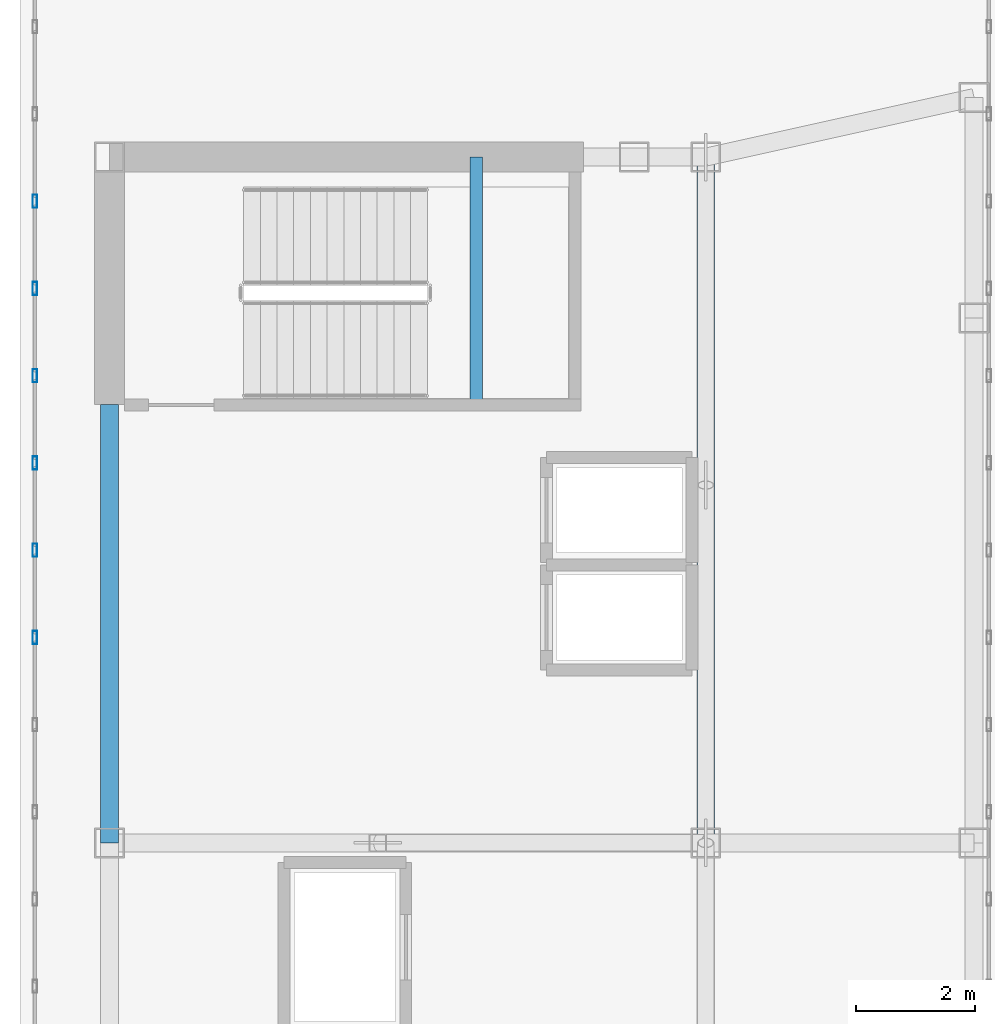
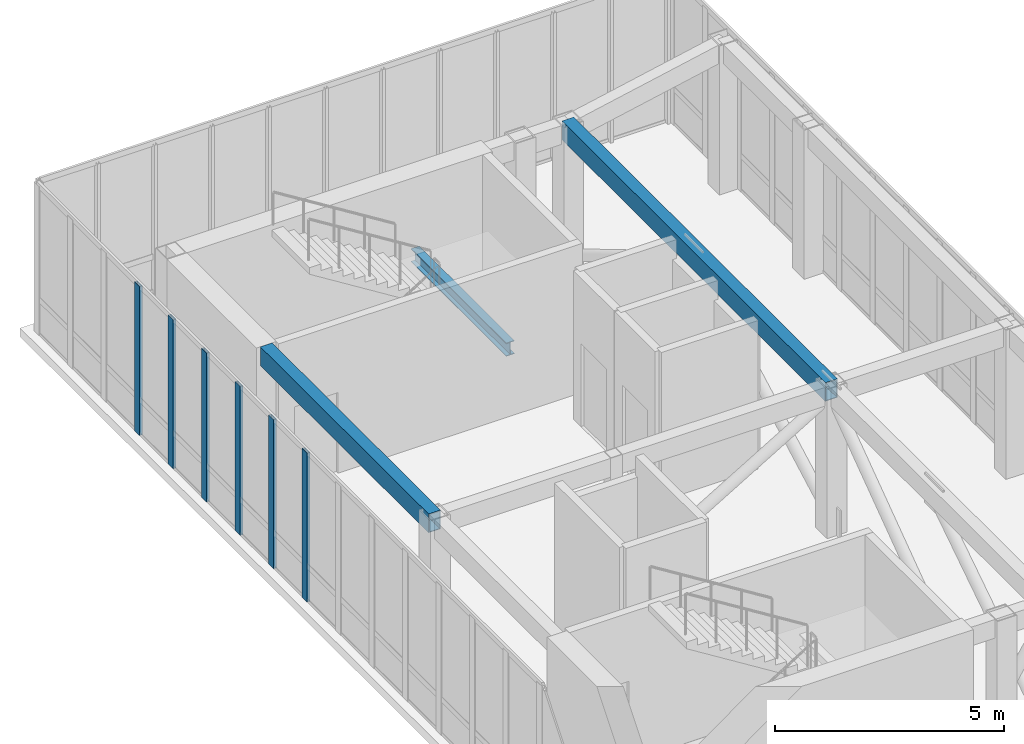
# One storey, part 7 of 13: 6 members, 3 beams, 1 element without a shape of its own.
"""IFC4 building model written with IfcOpenShell, lengths in metres."""

import ifcopenshell
import ifcopenshell.guid

model = None  # the IFC model being written
_history = None  # IfcOwnerHistory: only IFC2X3 demands one
_inside = {}  # id of a spatial element -> (the spatial element, [elements in it])
_under = {}  # id of a project, library or spatial element -> (it, [spatial elements below it])
_declared = {}  # id of a project -> (the project, [libraries it declares])
_typed = {}  # id of a type object -> (the type object, [elements of that type])
_made_of = {}  # id of a material, layer set ... -> (it, [elements and type objects made of it])


def new_model(schema):
    """Start an empty IFC model of exactly this schema.

    Asked for "IFC4X3", IfcOpenShell would pick the latest addendum, in which some entities
    have other attributes; the version numbers below select the first issue.
    IFC2X3 requires an IfcOwnerHistory on every rooted entity: one is made here for all.
    """
    global model, _history
    if schema == "IFC4X3":
        model = ifcopenshell.file(schema_version=(4, 3, 0, 0))
    else:
        model = ifcopenshell.file(schema=schema)
    _inside.clear()
    _under.clear()
    _declared.clear()
    _typed.clear()
    _made_of.clear()
    _history = None
    if model.schema == "IFC2X3":
        org = make("IfcOrganization", Name="unknown")
        user = make(
            "IfcPersonAndOrganization",
            ThePerson=make("IfcPerson", FamilyName="unknown"),
            TheOrganization=org,
        )
        app = make(
            "IfcApplication",
            ApplicationDeveloper=org,
            Version="unknown",
            ApplicationFullName="unknown",
            ApplicationIdentifier="unknown",
        )
        _history = make(
            "IfcOwnerHistory",
            OwningUser=user,
            OwningApplication=app,
            ChangeAction="ADDED",
            CreationDate=0,
        )
    return model


def make(cls, **values):
    """One entity of the class cls with the attributes given. An attribute that is None is left unset."""
    return model.create_entity(
        cls, **{name: value for name, value in values.items() if value is not None}
    )


def rooted(cls, **values):
    """An entity with a GlobalId (a new one), such as an element, a storey or a relation."""
    return make(cls, GlobalId=ifcopenshell.guid.new(), OwnerHistory=_history, **values)


def si_unit(unit_type, name, prefix=None):
    """IfcSIUnit, for example si_unit("LENGTHUNIT", "METRE", prefix="MILLI")."""
    return make("IfcSIUnit", UnitType=unit_type, Prefix=prefix, Name=name)


def assignment(units):
    """IfcUnitAssignment: the units of a project."""
    return None if units is None else make("IfcUnitAssignment", Units=units)


def point(xyz):
    """IfcCartesianPoint."""
    return None if xyz is None else make("IfcCartesianPoint", Coordinates=xyz)


def direction(xyz):
    """IfcDirection."""
    return None if xyz is None else make("IfcDirection", DirectionRatios=xyz)


def frame(location, z_axis=None, x_axis=None):
    """IfcAxis2Placement3D, a coordinate frame: its origin and axes. An axis left out is left unset."""
    return make(
        "IfcAxis2Placement3D",
        Location=point(location),
        Axis=direction(z_axis),
        RefDirection=direction(x_axis),
    )


def frame_2d(location, x_axis=None):
    """IfcAxis2Placement2D, a coordinate frame in the plane: its origin and x axis."""
    return make(
        "IfcAxis2Placement2D", Location=point(location), RefDirection=direction(x_axis)
    )


def origin():
    """The frame at (0, 0, 0) with its axes left unset."""
    return frame((0.0, 0.0, 0.0))


def origin_2d():
    """The frame at (0, 0) in the plane with its x axis left unset."""
    return frame_2d((0.0, 0.0))


def place(relative_to, where):
    """IfcLocalPlacement: puts the frame where relative to a parent placement (None: the world)."""
    return make(
        "IfcLocalPlacement", PlacementRelTo=relative_to, RelativePlacement=where
    )


def context(
    kind, dimensions, precision=None, world=None, true_north=None, identifier=None
):
    """IfcGeometricRepresentationContext, for example the 3D "Model" context."""
    return make(
        "IfcGeometricRepresentationContext",
        ContextIdentifier=identifier,
        ContextType=kind,
        CoordinateSpaceDimension=dimensions,
        Precision=precision,
        WorldCoordinateSystem=world,
        TrueNorth=true_north,
    )


def subcontext(parent, identifier, kind, view, scale=None):
    """IfcGeometricRepresentationSubContext, for example "Body" below "Model"."""
    return make(
        "IfcGeometricRepresentationSubContext",
        ContextIdentifier=identifier,
        ContextType=kind,
        ParentContext=parent,
        TargetScale=scale,
        TargetView=view,
    )


def project(units=None, contexts=None):
    """IfcProject with its units and contexts."""
    return rooted(
        "IfcProject",
        Name="project",
        RepresentationContexts=contexts,
        UnitsInContext=assignment(units),
    )


def spatial(cls, under=None, at=None, **own):
    """A site, building, storey or space (cls), placed at a placement, below another one or the project."""
    s = rooted(cls, ObjectPlacement=at, **own)
    if under is not None:
        _under.setdefault(under.id(), (under, []))[1].append(s)
    return s


def profile(cls, at=None, kind="AREA", **sizes):
    """A parametric profile (cls). Its sizes go by their IFC names, for example OverallWidth=200.0."""
    return make(cls, ProfileType=kind, Position=at, **sizes)


def hollow_rectangle(**sizes):
    """IfcRectangleHollowProfileDef."""
    return profile("IfcRectangleHollowProfileDef", **sizes)


def i_section(**sizes):
    """IfcIShapeProfileDef."""
    return profile("IfcIShapeProfileDef", **sizes)


def extrude(swept, where, along, depth):
    """IfcExtrudedAreaSolid: the profile swept, set in the frame where, extruded along a direction by depth."""
    return make(
        "IfcExtrudedAreaSolid",
        SweptArea=swept,
        Position=where,
        ExtrudedDirection=direction(along),
        Depth=depth,
    )


def shape(context_of_items, identifier, shape_type, items):
    """IfcShapeRepresentation: the items that make up one representation, for example the "Body"."""
    return make(
        "IfcShapeRepresentation",
        ContextOfItems=context_of_items,
        RepresentationIdentifier=identifier,
        RepresentationType=shape_type,
        Items=items,
    )


def source(mapping_origin, context_of_items, identifier, shape_type, items):
    """IfcRepresentationMap: a shape defined once, which mapped items show again and again."""
    return make(
        "IfcRepresentationMap",
        MappingOrigin=mapping_origin,
        MappedRepresentation=shape(context_of_items, identifier, shape_type, items),
    )


def transform(
    local_origin,
    x_axis=None,
    y_axis=None,
    z_axis=None,
    scale=None,
    scale2=None,
    scale3=None,
    uniform=True,
):
    """IfcCartesianTransformationOperator3D, or its non-uniform kind. x_axis, y_axis, z_axis: its Axis1, 2, 3."""
    if uniform:
        return make(
            "IfcCartesianTransformationOperator3D",
            Axis1=direction(x_axis),
            Axis2=direction(y_axis),
            LocalOrigin=point(local_origin),
            Scale=scale,
            Axis3=direction(z_axis),
        )
    return make(
        "IfcCartesianTransformationOperator3DnonUniform",
        Axis1=direction(x_axis),
        Axis2=direction(y_axis),
        LocalOrigin=point(local_origin),
        Scale=scale,
        Axis3=direction(z_axis),
        Scale2=scale2,
        Scale3=scale3,
    )


def mapped(mapping_source, mapping_target):
    """IfcMappedItem: shows the shape of a source again, moved by a transform."""
    return make(
        "IfcMappedItem", MappingSource=mapping_source, MappingTarget=mapping_target
    )


def material(Name=None, Category=None):
    """IfcMaterial."""
    return make("IfcMaterial", Name=Name, Category=Category)


def layer(
    of_material, thickness, ventilated=None, Name=None, Category=None, Priority=None
):
    """IfcMaterialLayer: one layer of a wall or slab, of a material (None: an air gap)."""
    return make(
        "IfcMaterialLayer",
        Material=of_material,
        LayerThickness=thickness,
        IsVentilated=ventilated,
        Name=Name,
        Category=Category,
        Priority=Priority,
    )


def layer_set(layers, Name=None):
    """IfcMaterialLayerSet."""
    return make("IfcMaterialLayerSet", MaterialLayers=layers, LayerSetName=Name)


def material_profile(
    of_material, cross_section, Name=None, Category=None, Priority=None
):
    """IfcMaterialProfile: a cross section and its material."""
    return make(
        "IfcMaterialProfile",
        Name=Name,
        Material=of_material,
        Profile=cross_section,
        Priority=Priority,
        Category=Category,
    )


def profile_set(profiles, Name=None, composite=None):
    """IfcMaterialProfileSet."""
    return make(
        "IfcMaterialProfileSet",
        Name=Name,
        MaterialProfiles=profiles,
        CompositeProfile=composite,
    )


def made_of(thing, what):
    """Note that an element or type object is made of a material, layer set ...; save() writes the relation."""
    if what is not None:
        _made_of.setdefault(what.id(), (what, []))[1].append(thing)
    return thing


def type_object(cls, material=None, **own):
    """A type object (cls), such as IfcWallType, which elements share."""
    return made_of(rooted(cls, **own), material)


def element(
    cls,
    number,
    at=None,
    inside=None,
    cuts=None,
    type_object=None,
    material=None,
    context=None,
    identifier="Body",
    shape_type=None,
    held_by="IfcProductDefinitionShape",
    body=None,
    shapes=None,
    **own,
):
    """One element of the class cls, such as IfcWall. Its Tag is "e" and its number.

    at: its placement. inside: the storey or other place that contains it. cuts: it is an
    opening in that element (IfcRelVoidsElement). A single representation is given by context,
    identifier, shape_type and body (its items); several are given by shapes. held_by: the class
    of the entity that holds the representations. save() writes the other relations.
    """
    e = rooted(cls, Tag="e%d" % number, ObjectPlacement=at, **own)
    if body is not None:
        shapes = [shape(context, identifier, shape_type, body)]
    if shapes is not None:
        e.Representation = make(held_by, Representations=shapes)
    if inside is not None:
        _inside.setdefault(inside.id(), (inside, []))[1].append(e)
    if cuts is not None:
        rooted(
            "IfcRelVoidsElement", RelatingBuildingElement=cuts, RelatedOpeningElement=e
        )
    if type_object is not None:
        _typed.setdefault(type_object.id(), (type_object, []))[1].append(e)
    return made_of(e, material)


def aggregate(whole, parts):
    """IfcRelAggregates: a whole, such as a stair, and the parts it consists of."""
    return rooted("IfcRelAggregates", RelatingObject=whole, RelatedObjects=parts)


def save(model, path):
    """Write the relations noted so far, then the file.

    IfcRelAggregates (storeys below a building ...), IfcRelContainedInSpatialStructure (elements
    in a storey), IfcRelDefinesByType, IfcRelAssociatesMaterial and IfcRelDeclares: one each for
    every whole, place, type object, material and project.
    """
    for whole, parts in _under.values():
        aggregate(whole, parts)
    for where, things in _inside.values():
        rooted(
            "IfcRelContainedInSpatialStructure",
            RelatedElements=things,
            RelatingStructure=where,
        )
    for kind, things in _typed.values():
        rooted("IfcRelDefinesByType", RelatedObjects=things, RelatingType=kind)
    for what, things in _made_of.values():
        rooted("IfcRelAssociatesMaterial", RelatedObjects=things, RelatingMaterial=what)
    for by, libraries in _declared.values():
        rooted("IfcRelDeclares", RelatingContext=by, RelatedDefinitions=libraries)
    model.write(path)


model = new_model("IFC4")

# Units and contexts
model_context = context("Model", 3, precision=1e-05, world=origin(), true_north=direction((0.0, 1.0)))
body_context = subcontext(model_context, "Body", "Model", "MODEL_VIEW")
ifc_project = project(units=[si_unit("LENGTHUNIT", "METRE"), si_unit("AREAUNIT", "SQUARE_METRE"), si_unit("VOLUMEUNIT", "CUBIC_METRE"), si_unit("PLANEANGLEUNIT", "RADIAN"), si_unit("MASSUNIT", "GRAM", prefix="KILO")], contexts=[model_context])

# Site, building, storey
site_placement = place(None, origin())
site = spatial("IfcSite", under=ifc_project, at=site_placement, CompositionType="ELEMENT")
building_placement = place(site_placement, origin())
building = spatial("IfcBuilding", under=site, at=building_placement, Name="Kharzan Plaza Tower", CompositionType="ELEMENT")
storey_placement = place(building_placement, frame((0.0, 0.0, 289.800048828125)))
storey = spatial("IfcBuildingStorey", under=building, at=storey_placement, Name="L78-CROWN", CompositionType="ELEMENT", Elevation=289.800048828125)

# Beams
ifc_material_1 = material(Name="Steel S355", Category="steel")
ifc_material_profile_1 = material_profile(ifc_material_1, i_section(OverallWidth=0.205078125, OverallDepth=0.35400390625, WebThickness=0.009521484375, FlangeThickness=0.016845703125, at=origin_2d()), Name="W360x79")
ifc_profile_set_1 = profile_set([ifc_material_profile_1], Name="Steel S355")
beam_type_1 = type_object("IfcBeamType", Name="BM-LNT360", PredefinedType="LINTEL", material=ifc_profile_set_1)
shared_shape_1 = source(origin(), body_context, "Body", "SweptSolid", [
    extrude(i_section(OverallWidth=0.205078125, OverallDepth=0.35400390625, WebThickness=0.009521484375, FlangeThickness=0.016845703125, at=origin_2d()), origin(), (0.0, 0.0, 1.0), 4.155029296875),
])
beam_1_placement = place(storey_placement, frame((10.64990234375, 25.344970703125, 1.722900390625), z_axis=(0.0, 1.0, 0.0), x_axis=(-1.0, 0.0, 0.0)))
element("IfcBeam", 1, at=beam_1_placement, inside=storey, type_object=beam_type_1, Name="L78-CROWN Stair ST-2 Half-Landing Beam", PredefinedType="LINTEL", context=body_context, shape_type="MappedRepresentation", body=[
    mapped(shared_shape_1, transform((0.0, 0.0, 0.0), x_axis=(1.0, 0.0, 0.0), y_axis=(0.0, 1.0, 0.0), z_axis=(0.0, 0.0, 1.0))),
])
ifc_material_profile_2 = material_profile(ifc_material_1, hollow_rectangle(XDim=0.300048828125, YDim=0.5, WallThickness=0.02001953125, at=origin_2d()), Name="RHS500x300x20")
ifc_profile_set_2 = profile_set([ifc_material_profile_2], Name="Steel S355")
beam_type_2 = type_object("IfcBeamType", Name="BM-CRN500", PredefinedType="BEAM", material=ifc_profile_set_2)
shared_shape_2 = source(origin(), body_context, "Body", "SweptSolid", [
    extrude(hollow_rectangle(XDim=0.300048828125, YDim=0.5, WallThickness=0.02001953125, at=origin_2d()), origin(), (0.0, 0.0, 1.0), 11.5),
])
beam_2_placement = place(storey_placement, frame((14.5, 18.0, 3.719970703125), z_axis=(0.0, 1.0, 0.0), x_axis=(-1.0, 0.0, 0.0)))
element("IfcBeam", 2, at=beam_2_placement, inside=storey, type_object=beam_type_2, Name="L78-CROWN CROWN FRAME Lantern Ring Beam CRB-M2", PredefinedType="BEAM", context=body_context, shape_type="MappedRepresentation", body=[
    mapped(shared_shape_2, transform((0.0, 0.0, 0.0), x_axis=(1.0, 0.0, 0.0), y_axis=(0.0, 1.0, 0.0), z_axis=(0.0, 0.0, 1.0))),
])
shared_shape_3 = source(origin(), body_context, "Body", "SweptSolid", [
    extrude(hollow_rectangle(XDim=0.300048828125, YDim=0.5, WallThickness=0.02001953125, at=origin_2d()), origin(), (0.0, 0.0, 1.0), 7.35009765625),
])
beam_3_placement = place(storey_placement, frame((4.5, 18.0, 3.719970703125), z_axis=(0.0, 1.0, 0.0), x_axis=(-1.0, 0.0, 0.0)))
element("IfcBeam", 3, at=beam_3_placement, inside=storey, type_object=beam_type_2, Name="L78-CROWN CROWN FRAME Lantern Ring Beam CRB-W2", PredefinedType="BEAM", context=body_context, shape_type="MappedRepresentation", body=[
    mapped(shared_shape_3, transform((0.0, 0.0, 0.0), x_axis=(1.0, 0.0, 0.0), y_axis=(0.0, 1.0, 0.0), z_axis=(0.0, 0.0, 1.0))),
])

# Curtain wall, members
ifc_material_2 = material(Name="Unitised Bronze-Anodized Aluminium and Low-E Glass", Category="aluminium")
ifc_layer = layer(ifc_material_2, 0.199951171875)
ifc_layer_set = layer_set([ifc_layer], Name="Unitised Bronze-Anodized Aluminium and Low-E Glass")
curtain_wall_type = type_object("IfcCurtainWallType", Name="CW-LANTERN-6", PredefinedType="NOTDEFINED", material=ifc_layer_set)
curtain_wall_placement = place(storey_placement, origin())
curtain_wall = element("IfcCurtainWall", 4, at=curtain_wall_placement, inside=storey, type_object=curtain_wall_type, Name="L78-CROWN Lantern Crown Illuminated Curtain Wall 4", PredefinedType="NOTDEFINED")
ifc_material_3 = material(Name="Anodized Bronze Aluminium", Category="aluminium")
ifc_material_profile_3 = material_profile(ifc_material_3, hollow_rectangle(XDim=0.074951171875, YDim=0.219970703125, WallThickness=0.00390625, at=origin_2d()), Name="ALU-M220x75x4")
ifc_profile_set_3 = profile_set([ifc_material_profile_3], Name="Anodized Bronze Aluminium")
member_type = type_object("IfcMemberType", Name="MEM-CW-MUL200", PredefinedType="MULLION", material=ifc_profile_set_3)
shared_shape_4 = source(origin(), body_context, "Body", "SweptSolid", [
    extrude(hollow_rectangle(XDim=0.074951171875, YDim=0.219970703125, WallThickness=0.00390625, at=origin_2d()), origin(), (0.0, 0.0, 1.0), 3.969970703125),
])
member_1_placement = place(storey_placement, frame((3.25, 28.760498046875, 0.0), z_axis=(0.0, 0.0, 1.0), x_axis=(1.0, 0.0, 0.0)))
member_1 = element("IfcMember", 5, at=member_1_placement, type_object=member_type, Name="L78-CROWN Curtain-Wall Mullion 03", PredefinedType="MULLION", context=body_context, shape_type="MappedRepresentation", body=[
    mapped(shared_shape_4, transform((0.0, 0.0, 0.0), x_axis=(1.0, 0.0, 0.0), y_axis=(0.0, 1.0, 0.0), z_axis=(0.0, 0.0, 1.0))),
])
member_2_placement = place(storey_placement, frame((3.25, 27.29736328125, 0.0), z_axis=(0.0, 0.0, 1.0), x_axis=(1.0, 0.0, 0.0)))
member_2 = element("IfcMember", 6, at=member_2_placement, type_object=member_type, Name="L78-CROWN Curtain-Wall Mullion 04", PredefinedType="MULLION", context=body_context, shape_type="MappedRepresentation", body=[
    mapped(shared_shape_4, transform((0.0, 0.0, 0.0), x_axis=(1.0, 0.0, 0.0), y_axis=(0.0, 1.0, 0.0), z_axis=(0.0, 0.0, 1.0))),
])
member_3_placement = place(storey_placement, frame((3.25, 25.834228515625, 0.0), z_axis=(0.0, 0.0, 1.0), x_axis=(1.0, 0.0, 0.0)))
member_3 = element("IfcMember", 7, at=member_3_placement, type_object=member_type, Name="L78-CROWN Curtain-Wall Mullion 05", PredefinedType="MULLION", context=body_context, shape_type="MappedRepresentation", body=[
    mapped(shared_shape_4, transform((0.0, 0.0, 0.0), x_axis=(1.0, 0.0, 0.0), y_axis=(0.0, 1.0, 0.0), z_axis=(0.0, 0.0, 1.0))),
])
member_4_placement = place(storey_placement, frame((3.25, 24.37109375, 0.0), z_axis=(0.0, 0.0, 1.0), x_axis=(1.0, 0.0, 0.0)))
member_4 = element("IfcMember", 8, at=member_4_placement, type_object=member_type, Name="L78-CROWN Curtain-Wall Mullion 06", PredefinedType="MULLION", context=body_context, shape_type="MappedRepresentation", body=[
    mapped(shared_shape_4, transform((0.0, 0.0, 0.0), x_axis=(1.0, 0.0, 0.0), y_axis=(0.0, 1.0, 0.0), z_axis=(0.0, 0.0, 1.0))),
])
member_5_placement = place(storey_placement, frame((3.25, 22.907958984375, 0.0), z_axis=(0.0, 0.0, 1.0), x_axis=(1.0, 0.0, 0.0)))
member_5 = element("IfcMember", 9, at=member_5_placement, type_object=member_type, Name="L78-CROWN Curtain-Wall Mullion 07", PredefinedType="MULLION", context=body_context, shape_type="MappedRepresentation", body=[
    mapped(shared_shape_4, transform((0.0, 0.0, 0.0), x_axis=(1.0, 0.0, 0.0), y_axis=(0.0, 1.0, 0.0), z_axis=(0.0, 0.0, 1.0))),
])
member_6_placement = place(storey_placement, frame((3.25, 21.444580078125, 0.0), z_axis=(0.0, 0.0, 1.0), x_axis=(1.0, 0.0, 0.0)))
member_6 = element("IfcMember", 10, at=member_6_placement, type_object=member_type, Name="L78-CROWN Curtain-Wall Mullion 08", PredefinedType="MULLION", context=body_context, shape_type="MappedRepresentation", body=[
    mapped(shared_shape_4, transform((0.0, 0.0, 0.0), x_axis=(1.0, 0.0, 0.0), y_axis=(0.0, 1.0, 0.0), z_axis=(0.0, 0.0, 1.0))),
])
aggregate(curtain_wall, [member_1, member_2, member_3, member_4, member_5, member_6])

save(model, "model.ifc")
